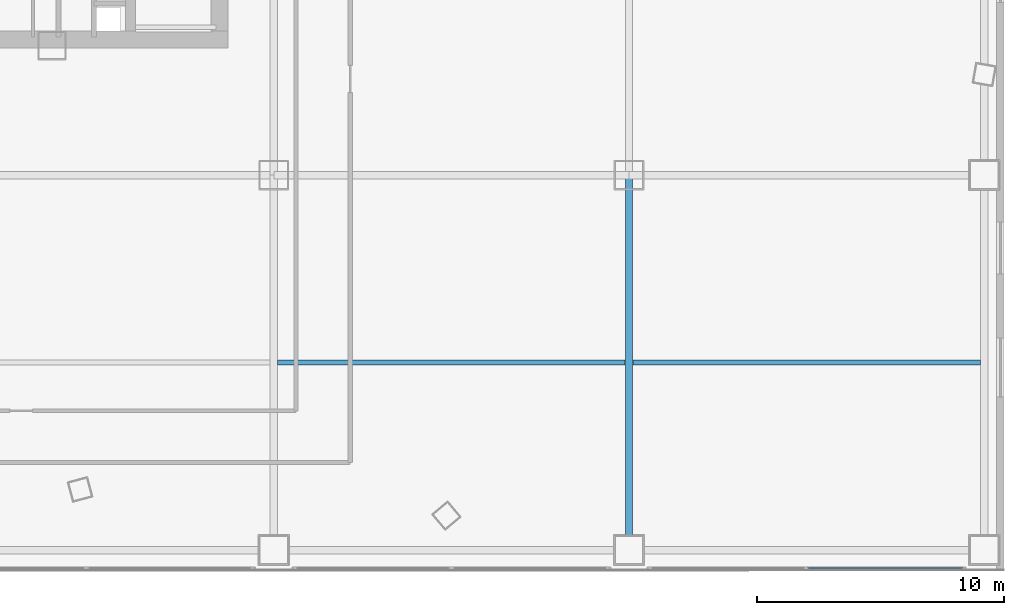
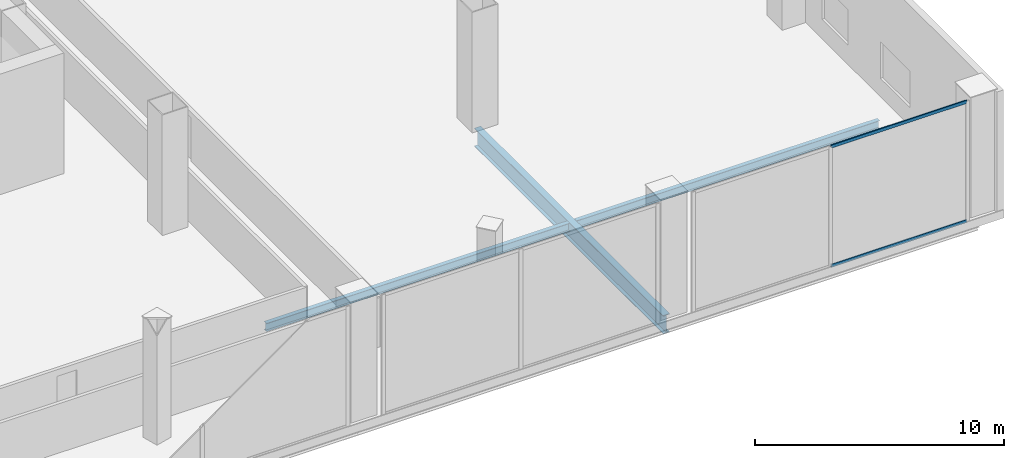
# One storey, part 15 of 41: 3 beams, 2 members, 1 element without a shape of its own.
"""IFC4 building model written with IfcOpenShell, lengths in metres."""

from ifc_helpers import new_model, si_unit, direction, frame, origin, origin_2d, place, context, subcontext, project, spatial, hollow_rectangle, i_section, extrude, source, transform, mapped, material, layer, layer_set, material_profile, profile_set, type_object, element, aggregate, save


model = new_model("IFC4")

# Units and contexts
model_context = context("Model", 3, precision=1e-05, world=origin(), true_north=direction((0.0, 1.0)))
body_context = subcontext(model_context, "Body", "Model", "MODEL_VIEW")
ifc_project = project(units=[si_unit("LENGTHUNIT", "METRE"), si_unit("AREAUNIT", "SQUARE_METRE"), si_unit("VOLUMEUNIT", "CUBIC_METRE"), si_unit("PLANEANGLEUNIT", "RADIAN"), si_unit("MASSUNIT", "GRAM", prefix="KILO"), si_unit("THERMODYNAMICTEMPERATUREUNIT", "KELVIN"), si_unit("POWERUNIT", "WATT")], contexts=[model_context])

# Site, building, storey
site_placement = place(None, origin())
site = spatial("IfcSite", under=ifc_project, at=site_placement, CompositionType="ELEMENT")
building_placement = place(site_placement, origin())
building = spatial("IfcBuilding", under=site, at=building_placement, Name="Yunzhuo Pagoda Commons", CompositionType="ELEMENT")
storey_placement = place(building_placement, frame((0.0, 0.0, 19.199951171875)))
storey = spatial("IfcBuildingStorey", under=building, at=storey_placement, Name="L05", CompositionType="ELEMENT", Elevation=19.199951171875)

# Beams
ifc_material_1 = material(Name="Structural steel Q355B", Category="steel")
ifc_material_profile_1 = material_profile(ifc_material_1, i_section(OverallWidth=0.199951171875, OverallDepth=0.39990234375, WebThickness=0.008056640625, FlangeThickness=0.012939453125, at=origin_2d()), Name="Structural steel Q355B")
ifc_profile_set_1 = profile_set([ifc_material_profile_1], Name="Structural steel Q355B")
beam_type_1 = type_object("IfcBeamType", Name="B-JS1 Joist HN 400x200x8x13", PredefinedType="JOIST", material=ifc_profile_set_1)
shared_shape_1 = source(origin(), body_context, "Body", "SweptSolid", [
    extrude(i_section(OverallWidth=0.199951171875, OverallDepth=0.39990234375, WebThickness=0.008056640625, FlangeThickness=0.012939453125, at=origin_2d()), origin(), (0.0, 0.0, 1.0), 14.08984375),
])
beam_1_placement = place(storey_placement, frame((76.955078125, 14.39990234375, -0.47998046875), z_axis=(1.0, 0.0, 0.0), x_axis=(0.0, 1.0, 0.0)))
element("IfcBeam", 1, at=beam_1_placement, inside=storey, type_object=beam_type_1, Name="L05 podium composite joist 5.1", PredefinedType="JOIST", context=body_context, shape_type="MappedRepresentation", body=[
    mapped(shared_shape_1, transform((0.0, 0.0, 0.0), scale=1.0)),
])
ifc_material_profile_2 = material_profile(ifc_material_1, i_section(OverallWidth=0.300048828125, OverallDepth=0.89990234375, WebThickness=0.01611328125, FlangeThickness=0.028076171875, at=origin_2d()), Name="Structural steel Q355B")
ifc_profile_set_2 = profile_set([ifc_material_profile_2], Name="Structural steel Q355B")
beam_type_2 = type_object("IfcBeamType", Name="B-PD1 Beam HN 900x300x16x28", PredefinedType="BEAM", material=ifc_profile_set_2)
shared_shape_2 = source(origin(), body_context, "Body", "SweptSolid", [
    extrude(i_section(OverallWidth=0.300048828125, OverallDepth=0.89990234375, WebThickness=0.01611328125, FlangeThickness=0.028076171875, at=origin_2d()), origin(), (0.0, 0.0, 1.0), 15.199951171875),
])
beam_2_placement = place(storey_placement, frame((76.800048828125, 6.800048828125, -0.72998046875), z_axis=(0.0, 1.0, 0.0), x_axis=(-1.0, 0.0, 0.0)))
element("IfcBeam", 2, at=beam_2_placement, inside=storey, type_object=beam_type_2, Name="L05 podium girder NS 5.1", PredefinedType="BEAM", context=body_context, shape_type="MappedRepresentation", body=[
    mapped(shared_shape_2, transform((0.0, 0.0, 0.0), scale=1.0)),
])
shared_shape_3 = source(origin(), body_context, "Body", "SweptSolid", [
    extrude(i_section(OverallWidth=0.199951171875, OverallDepth=0.39990234375, WebThickness=0.008056640625, FlangeThickness=0.012939453125, at=origin_2d()), origin(), (0.0, 0.0, 1.0), 14.09033203125),
])
beam_3_placement = place(storey_placement, frame((62.554931640625, 14.39990234375, -0.47998046875), z_axis=(1.0, 0.0, 0.0), x_axis=(0.0, 1.0, 0.0)))
element("IfcBeam", 3, at=beam_3_placement, inside=storey, type_object=beam_type_1, Name="L05 podium composite joist 4.1", PredefinedType="JOIST", context=body_context, shape_type="MappedRepresentation", body=[
    mapped(shared_shape_3, transform((0.0, 0.0, 0.0), scale=1.0)),
])

# Curtain wall, members
ifc_material_2 = material(Name="Anodized aluminium 6063-T6", Category="aluminium")
ifc_layer = layer(ifc_material_2, 0.179931640625)
ifc_layer_set = layer_set([ifc_layer], Name="Anodized aluminium 6063-T6")
curtain_wall_type = type_object("IfcCurtainWallType", Name="CW-POD Waterfront Podium Curtain Wall", PredefinedType="NOTDEFINED", material=ifc_layer_set)
curtain_wall_placement = place(storey_placement, origin())
curtain_wall = element("IfcCurtainWall", 4, at=curtain_wall_placement, inside=storey, type_object=curtain_wall_type, Name="L05 curtain wall CW-L05-S5", PredefinedType="NOTDEFINED")
ifc_material_profile_3 = material_profile(ifc_material_2, hollow_rectangle(XDim=0.06005859375, YDim=0.14990234375, WallThickness=0.00390625, at=origin_2d()), Name="Anodized aluminium 6063-T6")
ifc_profile_set_3 = profile_set([ifc_material_profile_3], Name="Anodized aluminium 6063-T6")
member_type = type_object("IfcMemberType", Name="CW-POD-T Transom RHS 150x60x4", PredefinedType="USERDEFINED", material=ifc_profile_set_3)
shared_shape_4 = source(origin(), body_context, "Body", "SweptSolid", [
    extrude(hollow_rectangle(XDim=0.06005859375, YDim=0.14990234375, WallThickness=0.00390625, at=origin_2d()), origin(), (0.0, 0.0, 1.0), 6.302490234375),
])
member_1_placement = place(storey_placement, frame((84.032470703125, 6.080078125, 0.0302734375), z_axis=(1.0, 0.0, 0.0), x_axis=(0.0, 1.0, 0.0)))
member_1 = element("IfcMember", 5, at=member_1_placement, type_object=member_type, Name="CW transom 2.1", ObjectType="TRANSOM", PredefinedType="USERDEFINED", context=body_context, shape_type="MappedRepresentation", body=[
    mapped(shared_shape_4, transform((0.0, 0.0, 0.0), scale=1.0)),
])
member_2_placement = place(storey_placement, frame((84.032470703125, 6.080078125, 5.89013671875), z_axis=(1.0, 0.0, 0.0), x_axis=(0.0, 1.0, 0.0)))
member_2 = element("IfcMember", 6, at=member_2_placement, type_object=member_type, Name="CW transom 2.2", ObjectType="TRANSOM", PredefinedType="USERDEFINED", context=body_context, shape_type="MappedRepresentation", body=[
    mapped(shared_shape_4, transform((0.0, 0.0, 0.0), scale=1.0)),
])
aggregate(curtain_wall, [member_1, member_2])

save(model, "model.ifc")
